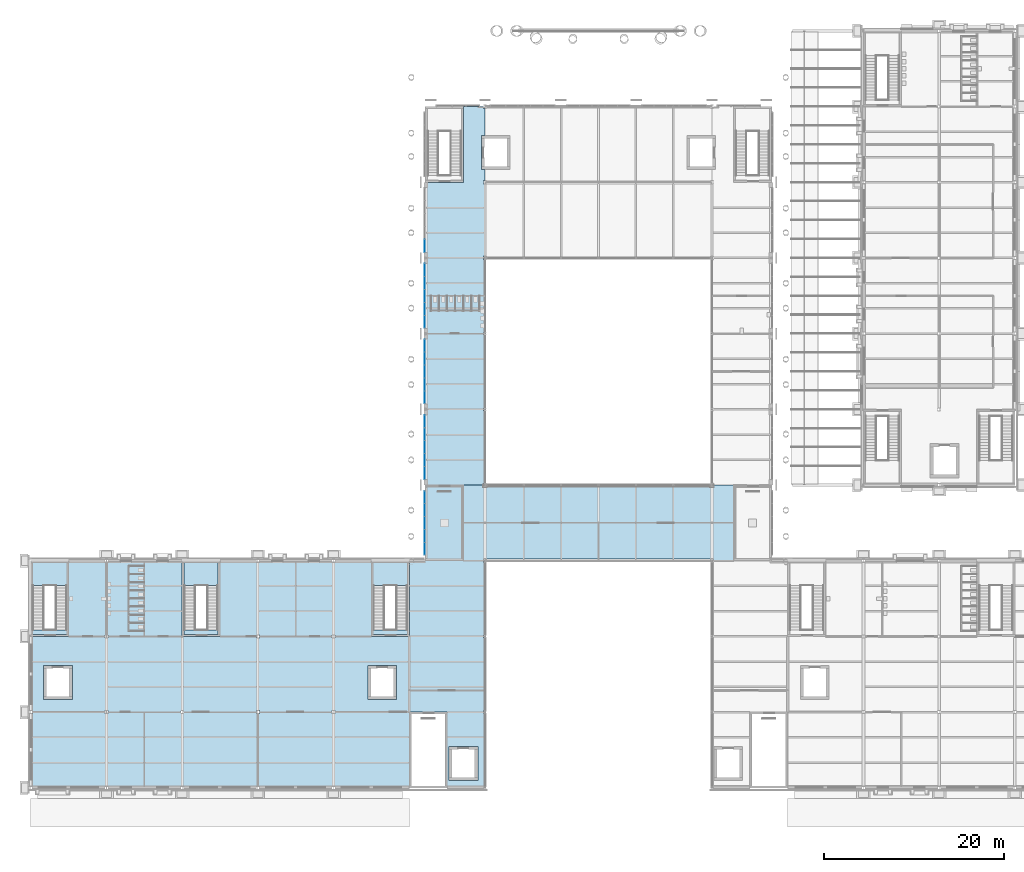
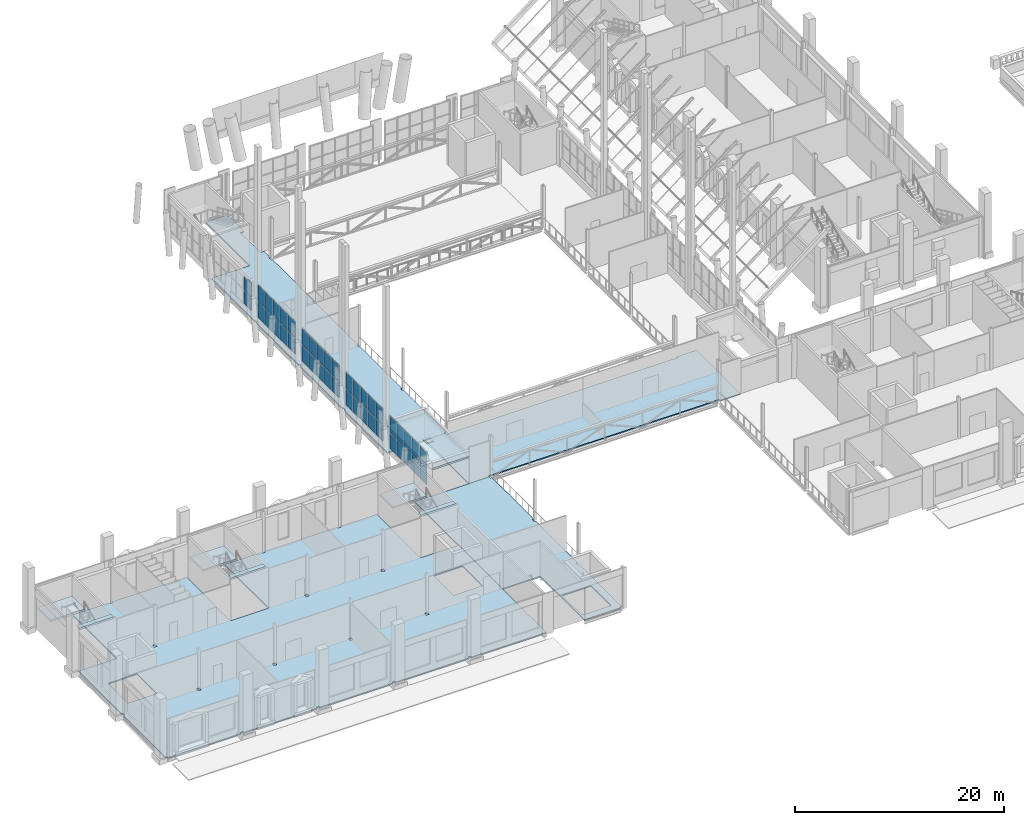
# One storey, part 41 of 76: 42 plates, 11 slabs, 8 elements without a shape of their own.
"""IFC4 building model written with IfcOpenShell, lengths in metres."""

from ifc_helpers import new_model, si_unit, direction, frame, origin, origin_2d, place, context, subcontext, project, spatial, polyline, rectangle, outline, extrude, material, layer, layer_set, type_object, element, aggregate, save


model = new_model("IFC4")

# Units and contexts
model_context = context("Model", 3, precision=1e-05, world=origin(), true_north=direction((0.0, 1.0)))
body_context = subcontext(model_context, "Body", "Model", "MODEL_VIEW")
ifc_project = project(units=[si_unit("LENGTHUNIT", "METRE"), si_unit("AREAUNIT", "SQUARE_METRE"), si_unit("VOLUMEUNIT", "CUBIC_METRE"), si_unit("PLANEANGLEUNIT", "RADIAN"), si_unit("MASSUNIT", "GRAM", prefix="KILO")], contexts=[model_context])

# Site, building, storey
site_placement = place(None, origin())
site = spatial("IfcSite", under=ifc_project, at=site_placement, CompositionType="ELEMENT")
building_placement = place(site_placement, origin())
building = spatial("IfcBuilding", under=site, at=building_placement, Name="Sava Quay Ferry Terminal", CompositionType="ELEMENT")
storey_placement = place(building_placement, frame((0.0, 0.0, 6.0)))
storey = spatial("IfcBuildingStorey", under=building, at=storey_placement, Name="L01", CompositionType="ELEMENT", Elevation=6.0)

# Slabs
ifc_material_1 = material(Name="Concrete C30/37", Category="concrete")
ifc_layer_1 = layer(ifc_material_1, 0.1298828125)
ifc_layer_set_1 = layer_set([ifc_layer_1], Name="Concrete C30/37")
slab_type_1 = type_object("IfcSlabType", Name="Composite floor slab 130", PredefinedType="FLOOR", material=ifc_layer_set_1)
slab_1_placement = place(storey_placement, frame((0.0, 0.0, -0.1298828125)))
element("IfcSlab", 1, at=slab_1_placement, inside=storey, type_object=slab_type_1, Name="A floor slab L01", PredefinedType="FLOOR", context=body_context, shape_type="SweptSolid", body=[
    extrude(outline(polyline([(50.239990234375, 25.360107421875), (50.239990234375, 25.199951171875), (46.199951171875, 25.199951171875), (46.199951171875, 33.60009765625), (42.0, 33.60009765625), (42.0, 42.0), (42.0, 50.39990234375), (43.800048828125, 50.39990234375), (48.0, 50.39990234375), (50.239990234375, 50.39990234375), (50.239990234375, 50.18994140625), (50.39990234375, 50.18994140625), (50.39990234375, 42.159912109375), (50.239990234375, 42.159912109375), (50.239990234375, 41.840087890625), (50.39990234375, 41.840087890625), (50.39990234375, 33.760009765625), (50.239990234375, 33.760009765625), (50.239990234375, 33.43994140625), (50.39990234375, 33.43994140625), (50.39990234375, 25.360107421875), (50.239990234375, 25.360107421875)]), holes=[polyline([(46.39990234375, 26.0), (49.60009765625, 26.0), (49.60009765625, 29.800048828125), (46.39990234375, 29.800048828125), (46.39990234375, 26.0)])]), origin(), (0.0, 0.0, 1.0), 0.1298828125),
])
slab_2_placement = place(storey_placement, frame((0.0, 0.0, -0.1298828125)))
element("IfcSlab", 2, at=slab_2_placement, inside=storey, type_object=slab_type_1, Name="W floor slab L01", PredefinedType="FLOOR", context=body_context, shape_type="SweptSolid", body=[
    extrude(outline(polyline([(33.760009765625, 25.199951171875), (33.760009765625, 25.3701171875), (33.43994140625, 25.3701171875), (33.43994140625, 25.199951171875), (25.360107421875, 25.199951171875), (25.360107421875, 25.3701171875), (25.0400390625, 25.3701171875), (25.0400390625, 25.199951171875), (16.9599609375, 25.199951171875), (16.9599609375, 25.3701171875), (16.639892578125, 25.3701171875), (16.639892578125, 25.199951171875), (8.56005859375, 25.199951171875), (8.56005859375, 25.3701171875), (8.239990234375, 25.3701171875), (8.239990234375, 25.199951171875), (0.159912109375, 25.199951171875), (0.159912109375, 25.3701171875), (0.0, 25.3701171875), (0.0, 33.429931640625), (0.159912109375, 33.429931640625), (0.159912109375, 33.77001953125), (0.0, 33.77001953125), (0.0, 42.0), (4.199951171875, 42.0), (4.199951171875, 50.39990234375), (8.239990234375, 50.39990234375), (8.239990234375, 50.22998046875), (8.56005859375, 50.22998046875), (8.56005859375, 50.39990234375), (16.800048828125, 50.39990234375), (16.800048828125, 42.0), (21.0, 42.0), (21.0, 50.39990234375), (25.0400390625, 50.39990234375), (25.0400390625, 50.22998046875), (25.360107421875, 50.22998046875), (25.360107421875, 50.39990234375), (33.43994140625, 50.39990234375), (33.43994140625, 50.22998046875), (33.760009765625, 50.22998046875), (33.760009765625, 50.39990234375), (37.800048828125, 50.39990234375), (37.800048828125, 42.0), (42.0, 42.0), (42.0, 33.60009765625), (42.0, 25.199951171875), (33.760009765625, 25.199951171875)]), holes=[polyline([(8.239990234375, 33.77001953125), (8.239990234375, 33.429931640625), (8.56005859375, 33.429931640625), (8.56005859375, 33.77001953125), (8.239990234375, 33.77001953125)]), polyline([(16.639892578125, 33.429931640625), (16.9599609375, 33.429931640625), (16.9599609375, 33.77001953125), (16.639892578125, 33.77001953125), (16.639892578125, 33.429931640625)]), polyline([(33.43994140625, 33.429931640625), (33.760009765625, 33.429931640625), (33.760009765625, 33.77001953125), (33.43994140625, 33.77001953125), (33.43994140625, 33.429931640625)]), polyline([(25.0400390625, 33.429931640625), (25.360107421875, 33.429931640625), (25.360107421875, 33.77001953125), (25.0400390625, 33.77001953125), (25.0400390625, 33.429931640625)]), polyline([(37.39990234375, 38.800048828125), (37.39990234375, 35.0), (40.60009765625, 35.0), (40.60009765625, 38.800048828125), (37.39990234375, 38.800048828125)]), polyline([(1.39990234375, 38.800048828125), (1.39990234375, 35.0), (4.60009765625, 35.0), (4.60009765625, 38.800048828125), (1.39990234375, 38.800048828125)]), polyline([(25.0400390625, 41.830078125), (25.360107421875, 41.830078125), (25.360107421875, 42.169921875), (25.0400390625, 42.169921875), (25.0400390625, 41.830078125)]), polyline([(8.239990234375, 41.830078125), (8.56005859375, 41.830078125), (8.56005859375, 42.169921875), (8.239990234375, 42.169921875), (8.239990234375, 41.830078125)]), polyline([(33.43994140625, 41.830078125), (33.760009765625, 41.830078125), (33.760009765625, 42.169921875), (33.43994140625, 42.169921875), (33.43994140625, 41.830078125)])]), origin(), (0.0, 0.0, 1.0), 0.1298828125),
])
slab_3_placement = place(storey_placement, frame((0.0, 0.0, -0.1298828125)))
element("IfcSlab", 3, at=slab_3_placement, inside=storey, type_object=slab_type_1, Name="D floor slab L01", PredefinedType="FLOOR", context=body_context, shape_type="SweptSolid", body=[
    extrude(outline(polyline([(78.0, 50.39990234375), (75.760009765625, 50.39990234375), (75.760009765625, 50.610107421875), (75.43994140625, 50.610107421875), (75.43994140625, 50.570068359375), (50.56005859375, 50.570068359375), (50.56005859375, 50.610107421875), (50.239990234375, 50.610107421875), (50.239990234375, 50.39990234375), (48.0, 50.39990234375), (48.0, 58.800048828125), (50.239990234375, 58.800048828125), (50.239990234375, 58.590087890625), (50.56005859375, 58.590087890625), (50.56005859375, 58.6298828125), (75.43994140625, 58.6298828125), (75.43994140625, 58.590087890625), (75.760009765625, 58.590087890625), (75.760009765625, 58.800048828125), (78.0, 58.800048828125), (78.0, 50.39990234375)])), origin(), (0.0, 0.0, 1.0), 0.1298828125),
])
slab_4_placement = place(storey_placement, frame((0.0, 0.0, -0.1298828125)))
element("IfcSlab", 4, at=slab_4_placement, inside=storey, type_object=slab_type_1, Name="D floor slab L01", PredefinedType="FLOOR", context=body_context, shape_type="SweptSolid", body=[
    extrude(outline(polyline([(50.239990234375, 59.010009765625), (50.239990234375, 58.800048828125), (48.0, 58.800048828125), (43.800048828125, 58.800048828125), (43.800048828125, 67.070068359375), (43.929931640625, 67.070068359375), (43.929931640625, 67.330078125), (43.800048828125, 67.330078125), (43.800048828125, 75.469970703125), (43.929931640625, 75.469970703125), (43.929931640625, 75.72998046875), (43.800048828125, 75.72998046875), (43.800048828125, 83.8701171875), (43.929931640625, 83.8701171875), (43.929931640625, 84.1298828125), (43.800048828125, 84.1298828125), (43.800048828125, 92.39990234375), (48.0, 92.39990234375), (48.0, 100.800048828125), (50.239990234375, 100.800048828125), (50.239990234375, 100.590087890625), (50.39990234375, 100.590087890625), (50.39990234375, 97.60009765625), (50.0, 97.60009765625), (50.0, 93.800048828125), (50.39990234375, 93.800048828125), (50.39990234375, 92.610107421875), (50.239990234375, 92.610107421875), (50.239990234375, 92.18994140625), (50.39990234375, 92.18994140625), (50.39990234375, 84.2099609375), (50.239990234375, 84.2099609375), (50.239990234375, 83.7900390625), (50.39990234375, 83.7900390625), (50.39990234375, 75.7548828125), (50.239990234375, 75.7548828125), (50.239990234375, 75.445068359375), (50.39990234375, 75.445068359375), (50.39990234375, 67.35498046875), (50.239990234375, 67.35498046875), (50.239990234375, 67.044921875), (50.39990234375, 67.044921875), (50.39990234375, 59.010009765625), (50.239990234375, 59.010009765625)])), origin(), (0.0, 0.0, 1.0), 0.1298828125),
])

# Curtain wall, plates
ifc_material_2 = material(Name="Aluminium and glass curtain wall, double low-e glazed", Category="aluminium")
curtain_wall_type = type_object("IfcCurtainWallType", Name="Curtain wall CW-F flank", PredefinedType="NOTDEFINED", material=ifc_material_2)
curtain_wall_1_placement = place(storey_placement, origin())
curtain_wall_1 = element("IfcCurtainWall", 5, at=curtain_wall_1_placement, inside=storey, type_object=curtain_wall_type, Name="Curtain wall D-W L01 bay 1", PredefinedType="NOTDEFINED")
ifc_material_3 = material(Name="Laminated glass, double low-e glazed unit", Category="glass")
ifc_layer_2 = layer(ifc_material_3, 0.028076171875)
ifc_layer_set_2 = layer_set([ifc_layer_2], Name="Laminated glass, double low-e glazed unit")
plate_type = type_object("IfcPlateType", Name="Glass panel 28 double low-e", PredefinedType="CURTAIN_PANEL", material=ifc_layer_set_2)
plate_1_placement = place(storey_placement, frame((43.72509765625, 51.735107421875, 0.949951171875), z_axis=(0.0, 0.0, 1.0), x_axis=(0.0, 1.0, 0.0)))
plate_1 = element("IfcPlate", 6, at=plate_1_placement, type_object=plate_type, Name="CW96 panel 1.1", PredefinedType="CURTAIN_PANEL", context=body_context, shape_type="SweptSolid", body=[
    extrude(rectangle(XDim=1.35009765625, YDim=0.028076171875, at=origin_2d()), origin(), (0.0, 0.0, 1.0), 1.875),
])
plate_2_placement = place(storey_placement, frame((43.72509765625, 51.735107421875, 2.875), z_axis=(0.0, 0.0, 1.0), x_axis=(0.0, 1.0, 0.0)))
plate_2 = element("IfcPlate", 7, at=plate_2_placement, type_object=plate_type, Name="CW96 panel 1.2", PredefinedType="CURTAIN_PANEL", context=body_context, shape_type="SweptSolid", body=[
    extrude(rectangle(XDim=1.35009765625, YDim=0.028076171875, at=origin_2d()), origin(), (0.0, 0.0, 1.0), 1.875),
])
plate_3_placement = place(storey_placement, frame((43.72509765625, 53.159912109375, 0.949951171875), z_axis=(0.0, 0.0, 1.0), x_axis=(0.0, 1.0, 0.0)))
plate_3 = element("IfcPlate", 8, at=plate_3_placement, type_object=plate_type, Name="CW96 panel 2.1", PredefinedType="CURTAIN_PANEL", context=body_context, shape_type="SweptSolid", body=[
    extrude(rectangle(XDim=1.3798828125, YDim=0.028076171875, at=origin_2d()), origin(), (0.0, 0.0, 1.0), 1.875),
])
plate_4_placement = place(storey_placement, frame((43.72509765625, 53.159912109375, 2.875), z_axis=(0.0, 0.0, 1.0), x_axis=(0.0, 1.0, 0.0)))
plate_4 = element("IfcPlate", 9, at=plate_4_placement, type_object=plate_type, Name="CW96 panel 2.2", PredefinedType="CURTAIN_PANEL", context=body_context, shape_type="SweptSolid", body=[
    extrude(rectangle(XDim=1.3798828125, YDim=0.028076171875, at=origin_2d()), origin(), (0.0, 0.0, 1.0), 1.875),
])
plate_5_placement = place(storey_placement, frame((43.72509765625, 54.60009765625, 0.949951171875), z_axis=(0.0, 0.0, 1.0), x_axis=(0.0, 1.0, 0.0)))
plate_5 = element("IfcPlate", 10, at=plate_5_placement, type_object=plate_type, Name="CW96 panel 3.1", PredefinedType="CURTAIN_PANEL", context=body_context, shape_type="SweptSolid", body=[
    extrude(rectangle(XDim=1.3798828125, YDim=0.028076171875, at=origin_2d()), origin(), (0.0, 0.0, 1.0), 1.875),
])
plate_6_placement = place(storey_placement, frame((43.72509765625, 54.60009765625, 2.875), z_axis=(0.0, 0.0, 1.0), x_axis=(0.0, 1.0, 0.0)))
plate_6 = element("IfcPlate", 11, at=plate_6_placement, type_object=plate_type, Name="CW96 panel 3.2", PredefinedType="CURTAIN_PANEL", context=body_context, shape_type="SweptSolid", body=[
    extrude(rectangle(XDim=1.3798828125, YDim=0.028076171875, at=origin_2d()), origin(), (0.0, 0.0, 1.0), 1.875),
])
plate_7_placement = place(storey_placement, frame((43.72509765625, 56.0400390625, 0.949951171875), z_axis=(0.0, 0.0, 1.0), x_axis=(0.0, 1.0, 0.0)))
plate_7 = element("IfcPlate", 12, at=plate_7_placement, type_object=plate_type, Name="CW96 panel 4.1", PredefinedType="CURTAIN_PANEL", context=body_context, shape_type="SweptSolid", body=[
    extrude(rectangle(XDim=1.3798828125, YDim=0.028076171875, at=origin_2d()), origin(), (0.0, 0.0, 1.0), 1.875),
])
plate_8_placement = place(storey_placement, frame((43.72509765625, 56.0400390625, 2.875), z_axis=(0.0, 0.0, 1.0), x_axis=(0.0, 1.0, 0.0)))
plate_8 = element("IfcPlate", 13, at=plate_8_placement, type_object=plate_type, Name="CW96 panel 4.2", PredefinedType="CURTAIN_PANEL", context=body_context, shape_type="SweptSolid", body=[
    extrude(rectangle(XDim=1.3798828125, YDim=0.028076171875, at=origin_2d()), origin(), (0.0, 0.0, 1.0), 1.875),
])
plate_9_placement = place(storey_placement, frame((43.72509765625, 57.465087890625, 0.949951171875), z_axis=(0.0, 0.0, 1.0), x_axis=(0.0, 1.0, 0.0)))
plate_9 = element("IfcPlate", 14, at=plate_9_placement, type_object=plate_type, Name="CW96 panel 5.1", PredefinedType="CURTAIN_PANEL", context=body_context, shape_type="SweptSolid", body=[
    extrude(rectangle(XDim=1.35009765625, YDim=0.028076171875, at=origin_2d()), origin(), (0.0, 0.0, 1.0), 1.875),
])
plate_10_placement = place(storey_placement, frame((43.72509765625, 57.465087890625, 2.875), z_axis=(0.0, 0.0, 1.0), x_axis=(0.0, 1.0, 0.0)))
plate_10 = element("IfcPlate", 15, at=plate_10_placement, type_object=plate_type, Name="CW96 panel 5.2", PredefinedType="CURTAIN_PANEL", context=body_context, shape_type="SweptSolid", body=[
    extrude(rectangle(XDim=1.35009765625, YDim=0.028076171875, at=origin_2d()), origin(), (0.0, 0.0, 1.0), 1.875),
])
aggregate(curtain_wall_1, [plate_1, plate_2, plate_3, plate_4, plate_5, plate_6, plate_7, plate_8, plate_9, plate_10])

curtain_wall_2_placement = place(storey_placement, origin())
curtain_wall_2 = element("IfcCurtainWall", 16, at=curtain_wall_2_placement, inside=storey, type_object=curtain_wall_type, Name="Curtain wall D-W L01 bay 2", PredefinedType="NOTDEFINED")
plate_11_placement = place(storey_placement, frame((43.72509765625, 60.135009765625, 0.949951171875), z_axis=(0.0, 0.0, 1.0), x_axis=(0.0, 1.0, 0.0)))
plate_11 = element("IfcPlate", 17, at=plate_11_placement, type_object=plate_type, Name="CW100 panel 1.1", PredefinedType="CURTAIN_PANEL", context=body_context, shape_type="SweptSolid", body=[
    extrude(rectangle(XDim=1.35009765625, YDim=0.028076171875, at=origin_2d()), origin(), (0.0, 0.0, 1.0), 1.875),
])
plate_12_placement = place(storey_placement, frame((43.72509765625, 60.135009765625, 2.875), z_axis=(0.0, 0.0, 1.0), x_axis=(0.0, 1.0, 0.0)))
plate_12 = element("IfcPlate", 18, at=plate_12_placement, type_object=plate_type, Name="CW100 panel 1.2", PredefinedType="CURTAIN_PANEL", context=body_context, shape_type="SweptSolid", body=[
    extrude(rectangle(XDim=1.35009765625, YDim=0.028076171875, at=origin_2d()), origin(), (0.0, 0.0, 1.0), 1.875),
])
plate_13_placement = place(storey_placement, frame((43.72509765625, 61.56005859375, 0.949951171875), z_axis=(0.0, 0.0, 1.0), x_axis=(0.0, 1.0, 0.0)))
plate_13 = element("IfcPlate", 19, at=plate_13_placement, type_object=plate_type, Name="CW100 panel 2.1", PredefinedType="CURTAIN_PANEL", context=body_context, shape_type="SweptSolid", body=[
    extrude(rectangle(XDim=1.3798828125, YDim=0.028076171875, at=origin_2d()), origin(), (0.0, 0.0, 1.0), 1.875),
])
plate_14_placement = place(storey_placement, frame((43.72509765625, 61.56005859375, 2.875), z_axis=(0.0, 0.0, 1.0), x_axis=(0.0, 1.0, 0.0)))
plate_14 = element("IfcPlate", 20, at=plate_14_placement, type_object=plate_type, Name="CW100 panel 2.2", PredefinedType="CURTAIN_PANEL", context=body_context, shape_type="SweptSolid", body=[
    extrude(rectangle(XDim=1.3798828125, YDim=0.028076171875, at=origin_2d()), origin(), (0.0, 0.0, 1.0), 1.875),
])
plate_15_placement = place(storey_placement, frame((43.72509765625, 63.0, 0.949951171875), z_axis=(0.0, 0.0, 1.0), x_axis=(0.0, 1.0, 0.0)))
plate_15 = element("IfcPlate", 21, at=plate_15_placement, type_object=plate_type, Name="CW100 panel 3.1", PredefinedType="CURTAIN_PANEL", context=body_context, shape_type="SweptSolid", body=[
    extrude(rectangle(XDim=1.3798828125, YDim=0.028076171875, at=origin_2d()), origin(), (0.0, 0.0, 1.0), 1.875),
])
plate_16_placement = place(storey_placement, frame((43.72509765625, 63.0, 2.875), z_axis=(0.0, 0.0, 1.0), x_axis=(0.0, 1.0, 0.0)))
plate_16 = element("IfcPlate", 22, at=plate_16_placement, type_object=plate_type, Name="CW100 panel 3.2", PredefinedType="CURTAIN_PANEL", context=body_context, shape_type="SweptSolid", body=[
    extrude(rectangle(XDim=1.3798828125, YDim=0.028076171875, at=origin_2d()), origin(), (0.0, 0.0, 1.0), 1.875),
])
plate_17_placement = place(storey_placement, frame((43.72509765625, 64.43994140625, 0.949951171875), z_axis=(0.0, 0.0, 1.0), x_axis=(0.0, 1.0, 0.0)))
plate_17 = element("IfcPlate", 23, at=plate_17_placement, type_object=plate_type, Name="CW100 panel 4.1", PredefinedType="CURTAIN_PANEL", context=body_context, shape_type="SweptSolid", body=[
    extrude(rectangle(XDim=1.3798828125, YDim=0.028076171875, at=origin_2d()), origin(), (0.0, 0.0, 1.0), 1.875),
])
plate_18_placement = place(storey_placement, frame((43.72509765625, 64.43994140625, 2.875), z_axis=(0.0, 0.0, 1.0), x_axis=(0.0, 1.0, 0.0)))
plate_18 = element("IfcPlate", 24, at=plate_18_placement, type_object=plate_type, Name="CW100 panel 4.2", PredefinedType="CURTAIN_PANEL", context=body_context, shape_type="SweptSolid", body=[
    extrude(rectangle(XDim=1.3798828125, YDim=0.028076171875, at=origin_2d()), origin(), (0.0, 0.0, 1.0), 1.875),
])
plate_19_placement = place(storey_placement, frame((43.72509765625, 65.864990234375, 0.949951171875), z_axis=(0.0, 0.0, 1.0), x_axis=(0.0, 1.0, 0.0)))
plate_19 = element("IfcPlate", 25, at=plate_19_placement, type_object=plate_type, Name="CW100 panel 5.1", PredefinedType="CURTAIN_PANEL", context=body_context, shape_type="SweptSolid", body=[
    extrude(rectangle(XDim=1.35009765625, YDim=0.028076171875, at=origin_2d()), origin(), (0.0, 0.0, 1.0), 1.875),
])
plate_20_placement = place(storey_placement, frame((43.72509765625, 65.864990234375, 2.875), z_axis=(0.0, 0.0, 1.0), x_axis=(0.0, 1.0, 0.0)))
plate_20 = element("IfcPlate", 26, at=plate_20_placement, type_object=plate_type, Name="CW100 panel 5.2", PredefinedType="CURTAIN_PANEL", context=body_context, shape_type="SweptSolid", body=[
    extrude(rectangle(XDim=1.35009765625, YDim=0.028076171875, at=origin_2d()), origin(), (0.0, 0.0, 1.0), 1.875),
])
aggregate(curtain_wall_2, [plate_11, plate_12, plate_13, plate_14, plate_15, plate_16, plate_17, plate_18, plate_19, plate_20])

curtain_wall_3_placement = place(storey_placement, origin())
curtain_wall_3 = element("IfcCurtainWall", 27, at=curtain_wall_3_placement, inside=storey, type_object=curtain_wall_type, Name="Curtain wall D-W L01 bay 3", PredefinedType="NOTDEFINED")
plate_21_placement = place(storey_placement, frame((43.72509765625, 68.534912109375, 0.949951171875), z_axis=(0.0, 0.0, 1.0), x_axis=(0.0, 1.0, 0.0)))
plate_21 = element("IfcPlate", 28, at=plate_21_placement, type_object=plate_type, Name="CW104 panel 1.1", PredefinedType="CURTAIN_PANEL", context=body_context, shape_type="SweptSolid", body=[
    extrude(rectangle(XDim=1.35009765625, YDim=0.028076171875, at=origin_2d()), origin(), (0.0, 0.0, 1.0), 1.875),
])
plate_22_placement = place(storey_placement, frame((43.72509765625, 68.534912109375, 2.875), z_axis=(0.0, 0.0, 1.0), x_axis=(0.0, 1.0, 0.0)))
plate_22 = element("IfcPlate", 29, at=plate_22_placement, type_object=plate_type, Name="CW104 panel 1.2", PredefinedType="CURTAIN_PANEL", context=body_context, shape_type="SweptSolid", body=[
    extrude(rectangle(XDim=1.35009765625, YDim=0.028076171875, at=origin_2d()), origin(), (0.0, 0.0, 1.0), 1.875),
])
plate_23_placement = place(storey_placement, frame((43.72509765625, 69.9599609375, 0.949951171875), z_axis=(0.0, 0.0, 1.0), x_axis=(0.0, 1.0, 0.0)))
plate_23 = element("IfcPlate", 30, at=plate_23_placement, type_object=plate_type, Name="CW104 panel 2.1", PredefinedType="CURTAIN_PANEL", context=body_context, shape_type="SweptSolid", body=[
    extrude(rectangle(XDim=1.3798828125, YDim=0.028076171875, at=origin_2d()), origin(), (0.0, 0.0, 1.0), 1.875),
])
plate_24_placement = place(storey_placement, frame((43.72509765625, 69.9599609375, 2.875), z_axis=(0.0, 0.0, 1.0), x_axis=(0.0, 1.0, 0.0)))
plate_24 = element("IfcPlate", 31, at=plate_24_placement, type_object=plate_type, Name="CW104 panel 2.2", PredefinedType="CURTAIN_PANEL", context=body_context, shape_type="SweptSolid", body=[
    extrude(rectangle(XDim=1.3798828125, YDim=0.028076171875, at=origin_2d()), origin(), (0.0, 0.0, 1.0), 1.875),
])
plate_25_placement = place(storey_placement, frame((43.72509765625, 71.39990234375, 0.949951171875), z_axis=(0.0, 0.0, 1.0), x_axis=(0.0, 1.0, 0.0)))
plate_25 = element("IfcPlate", 32, at=plate_25_placement, type_object=plate_type, Name="CW104 panel 3.1", PredefinedType="CURTAIN_PANEL", context=body_context, shape_type="SweptSolid", body=[
    extrude(rectangle(XDim=1.3798828125, YDim=0.028076171875, at=origin_2d()), origin(), (0.0, 0.0, 1.0), 1.875),
])
plate_26_placement = place(storey_placement, frame((43.72509765625, 71.39990234375, 2.875), z_axis=(0.0, 0.0, 1.0), x_axis=(0.0, 1.0, 0.0)))
plate_26 = element("IfcPlate", 33, at=plate_26_placement, type_object=plate_type, Name="CW104 panel 3.2", PredefinedType="CURTAIN_PANEL", context=body_context, shape_type="SweptSolid", body=[
    extrude(rectangle(XDim=1.3798828125, YDim=0.028076171875, at=origin_2d()), origin(), (0.0, 0.0, 1.0), 1.875),
])
plate_27_placement = place(storey_placement, frame((43.72509765625, 72.840087890625, 0.949951171875), z_axis=(0.0, 0.0, 1.0), x_axis=(0.0, 1.0, 0.0)))
plate_27 = element("IfcPlate", 34, at=plate_27_placement, type_object=plate_type, Name="CW104 panel 4.1", PredefinedType="CURTAIN_PANEL", context=body_context, shape_type="SweptSolid", body=[
    extrude(rectangle(XDim=1.3798828125, YDim=0.028076171875, at=origin_2d()), origin(), (0.0, 0.0, 1.0), 1.875),
])
plate_28_placement = place(storey_placement, frame((43.72509765625, 72.840087890625, 2.875), z_axis=(0.0, 0.0, 1.0), x_axis=(0.0, 1.0, 0.0)))
plate_28 = element("IfcPlate", 35, at=plate_28_placement, type_object=plate_type, Name="CW104 panel 4.2", PredefinedType="CURTAIN_PANEL", context=body_context, shape_type="SweptSolid", body=[
    extrude(rectangle(XDim=1.3798828125, YDim=0.028076171875, at=origin_2d()), origin(), (0.0, 0.0, 1.0), 1.875),
])
plate_29_placement = place(storey_placement, frame((43.72509765625, 74.264892578125, 0.949951171875), z_axis=(0.0, 0.0, 1.0), x_axis=(0.0, 1.0, 0.0)))
plate_29 = element("IfcPlate", 36, at=plate_29_placement, type_object=plate_type, Name="CW104 panel 5.1", PredefinedType="CURTAIN_PANEL", context=body_context, shape_type="SweptSolid", body=[
    extrude(rectangle(XDim=1.35009765625, YDim=0.028076171875, at=origin_2d()), origin(), (0.0, 0.0, 1.0), 1.875),
])
plate_30_placement = place(storey_placement, frame((43.72509765625, 74.264892578125, 2.875), z_axis=(0.0, 0.0, 1.0), x_axis=(0.0, 1.0, 0.0)))
plate_30 = element("IfcPlate", 37, at=plate_30_placement, type_object=plate_type, Name="CW104 panel 5.2", PredefinedType="CURTAIN_PANEL", context=body_context, shape_type="SweptSolid", body=[
    extrude(rectangle(XDim=1.35009765625, YDim=0.028076171875, at=origin_2d()), origin(), (0.0, 0.0, 1.0), 1.875),
])
aggregate(curtain_wall_3, [plate_21, plate_22, plate_23, plate_24, plate_25, plate_26, plate_27, plate_28, plate_29, plate_30])

curtain_wall_4_placement = place(storey_placement, origin())
curtain_wall_4 = element("IfcCurtainWall", 38, at=curtain_wall_4_placement, inside=storey, type_object=curtain_wall_type, Name="Curtain wall D-W L01 bay 4", PredefinedType="NOTDEFINED")
plate_31_placement = place(storey_placement, frame((43.72509765625, 76.93505859375, 0.949951171875), z_axis=(0.0, 0.0, 1.0), x_axis=(0.0, 1.0, 0.0)))
plate_31 = element("IfcPlate", 39, at=plate_31_placement, type_object=plate_type, Name="CW107 panel 1.1", PredefinedType="CURTAIN_PANEL", context=body_context, shape_type="SweptSolid", body=[
    extrude(rectangle(XDim=1.35009765625, YDim=0.028076171875, at=origin_2d()), origin(), (0.0, 0.0, 1.0), 1.875),
])
plate_32_placement = place(storey_placement, frame((43.72509765625, 76.93505859375, 2.875), z_axis=(0.0, 0.0, 1.0), x_axis=(0.0, 1.0, 0.0)))
plate_32 = element("IfcPlate", 40, at=plate_32_placement, type_object=plate_type, Name="CW107 panel 1.2", PredefinedType="CURTAIN_PANEL", context=body_context, shape_type="SweptSolid", body=[
    extrude(rectangle(XDim=1.35009765625, YDim=0.028076171875, at=origin_2d()), origin(), (0.0, 0.0, 1.0), 1.875),
])
plate_33_placement = place(storey_placement, frame((43.72509765625, 78.360107421875, 0.949951171875), z_axis=(0.0, 0.0, 1.0), x_axis=(0.0, 1.0, 0.0)))
plate_33 = element("IfcPlate", 41, at=plate_33_placement, type_object=plate_type, Name="CW107 panel 2.1", PredefinedType="CURTAIN_PANEL", context=body_context, shape_type="SweptSolid", body=[
    extrude(rectangle(XDim=1.3798828125, YDim=0.028076171875, at=origin_2d()), origin(), (0.0, 0.0, 1.0), 1.875),
])
plate_34_placement = place(storey_placement, frame((43.72509765625, 78.360107421875, 2.875), z_axis=(0.0, 0.0, 1.0), x_axis=(0.0, 1.0, 0.0)))
plate_34 = element("IfcPlate", 42, at=plate_34_placement, type_object=plate_type, Name="CW107 panel 2.2", PredefinedType="CURTAIN_PANEL", context=body_context, shape_type="SweptSolid", body=[
    extrude(rectangle(XDim=1.3798828125, YDim=0.028076171875, at=origin_2d()), origin(), (0.0, 0.0, 1.0), 1.875),
])
plate_35_placement = place(storey_placement, frame((43.72509765625, 79.800048828125, 0.949951171875), z_axis=(0.0, 0.0, 1.0), x_axis=(0.0, 1.0, 0.0)))
plate_35 = element("IfcPlate", 43, at=plate_35_placement, type_object=plate_type, Name="CW107 panel 3.1", PredefinedType="CURTAIN_PANEL", context=body_context, shape_type="SweptSolid", body=[
    extrude(rectangle(XDim=1.3798828125, YDim=0.028076171875, at=origin_2d()), origin(), (0.0, 0.0, 1.0), 1.875),
])
plate_36_placement = place(storey_placement, frame((43.72509765625, 79.800048828125, 2.875), z_axis=(0.0, 0.0, 1.0), x_axis=(0.0, 1.0, 0.0)))
plate_36 = element("IfcPlate", 44, at=plate_36_placement, type_object=plate_type, Name="CW107 panel 3.2", PredefinedType="CURTAIN_PANEL", context=body_context, shape_type="SweptSolid", body=[
    extrude(rectangle(XDim=1.3798828125, YDim=0.028076171875, at=origin_2d()), origin(), (0.0, 0.0, 1.0), 1.875),
])
plate_37_placement = place(storey_placement, frame((43.72509765625, 81.239990234375, 0.949951171875), z_axis=(0.0, 0.0, 1.0), x_axis=(0.0, 1.0, 0.0)))
plate_37 = element("IfcPlate", 45, at=plate_37_placement, type_object=plate_type, Name="CW107 panel 4.1", PredefinedType="CURTAIN_PANEL", context=body_context, shape_type="SweptSolid", body=[
    extrude(rectangle(XDim=1.3798828125, YDim=0.028076171875, at=origin_2d()), origin(), (0.0, 0.0, 1.0), 1.875),
])
plate_38_placement = place(storey_placement, frame((43.72509765625, 81.239990234375, 2.875), z_axis=(0.0, 0.0, 1.0), x_axis=(0.0, 1.0, 0.0)))
plate_38 = element("IfcPlate", 46, at=plate_38_placement, type_object=plate_type, Name="CW107 panel 4.2", PredefinedType="CURTAIN_PANEL", context=body_context, shape_type="SweptSolid", body=[
    extrude(rectangle(XDim=1.3798828125, YDim=0.028076171875, at=origin_2d()), origin(), (0.0, 0.0, 1.0), 1.875),
])
plate_39_placement = place(storey_placement, frame((43.72509765625, 82.6650390625, 0.949951171875), z_axis=(0.0, 0.0, 1.0), x_axis=(0.0, 1.0, 0.0)))
plate_39 = element("IfcPlate", 47, at=plate_39_placement, type_object=plate_type, Name="CW107 panel 5.1", PredefinedType="CURTAIN_PANEL", context=body_context, shape_type="SweptSolid", body=[
    extrude(rectangle(XDim=1.35009765625, YDim=0.028076171875, at=origin_2d()), origin(), (0.0, 0.0, 1.0), 1.875),
])
plate_40_placement = place(storey_placement, frame((43.72509765625, 82.6650390625, 2.875), z_axis=(0.0, 0.0, 1.0), x_axis=(0.0, 1.0, 0.0)))
plate_40 = element("IfcPlate", 48, at=plate_40_placement, type_object=plate_type, Name="CW107 panel 5.2", PredefinedType="CURTAIN_PANEL", context=body_context, shape_type="SweptSolid", body=[
    extrude(rectangle(XDim=1.35009765625, YDim=0.028076171875, at=origin_2d()), origin(), (0.0, 0.0, 1.0), 1.875),
])
aggregate(curtain_wall_4, [plate_31, plate_32, plate_33, plate_34, plate_35, plate_36, plate_37, plate_38, plate_39, plate_40])

curtain_wall_5_placement = place(storey_placement, origin())
curtain_wall_5 = element("IfcCurtainWall", 49, at=curtain_wall_5_placement, inside=storey, type_object=curtain_wall_type, Name="Curtain wall D-W L01 bay 5", PredefinedType="NOTDEFINED")
plate_41_placement = place(storey_placement, frame((43.72509765625, 85.3349609375, 0.9501953125), z_axis=(0.0, 0.0, 1.0), x_axis=(0.0, 1.0, 0.0)))
plate_41 = element("IfcPlate", 50, at=plate_41_placement, type_object=plate_type, Name="CW111 panel 1.1", PredefinedType="CURTAIN_PANEL", context=body_context, shape_type="SweptSolid", body=[
    extrude(rectangle(XDim=1.35009765625, YDim=0.028076171875, at=origin_2d()), origin(), (0.0, 0.0, 1.0), 1.574951171875),
])
plate_42_placement = place(storey_placement, frame((43.72509765625, 85.3349609375, 2.5751953125), z_axis=(0.0, 0.0, 1.0), x_axis=(0.0, 1.0, 0.0)))
plate_42 = element("IfcPlate", 51, at=plate_42_placement, type_object=plate_type, Name="CW111 panel 1.2", PredefinedType="CURTAIN_PANEL", context=body_context, shape_type="SweptSolid", body=[
    extrude(rectangle(XDim=1.35009765625, YDim=0.028076171875, at=origin_2d()), origin(), (0.0, 0.0, 1.0), 1.574951171875),
])
aggregate(curtain_wall_5, [plate_41, plate_42])

# Slab
ifc_material_4 = material(Name="Concrete C35/45", Category="concrete")
ifc_layer_3 = layer(ifc_material_4, 0.199951171875)
ifc_layer_set_3 = layer_set([ifc_layer_3], Name="Concrete C35/45")
slab_type_2 = type_object("IfcSlabType", Name="RC core roof slab 200", PredefinedType="ROOF", material=ifc_layer_set_3)
slab_5_placement = place(storey_placement, frame((0.0, 0.0, 3.0)))
element("IfcSlab", 52, at=slab_5_placement, inside=storey, type_object=slab_type_2, Name="Core roof slab ST-D1", PredefinedType="ROOF", context=body_context, shape_type="SweptSolid", body=[
    extrude(outline(polyline([(43.800048828125, 50.39990234375), (48.0, 50.39990234375), (48.0, 58.800048828125), (43.800048828125, 58.800048828125), (43.800048828125, 50.39990234375)]), holes=[polyline([(45.550048828125, 54.25), (46.25, 54.25), (46.25, 54.949951171875), (45.550048828125, 54.949951171875), (45.550048828125, 54.25)])]), origin(), (0.0, 0.0, 1.0), 0.199951171875),
])

# Stair, slab
ifc_material_5 = material(Name="Concrete C30/37", Category="concrete")
stair_type = type_object("IfcStairType", Name="Stair 1200 half landing", PredefinedType="HALF_TURN_STAIR", material=ifc_material_5)
stair_1_placement = place(storey_placement, origin())
stair_1 = element("IfcStair", 53, at=stair_1_placement, inside=storey, type_object=stair_type, Name="Stair ST-W1 L01", PredefinedType="HALF_TURN_STAIR")
ifc_material_6 = material(Name="Concrete C30/37", Category="concrete")
ifc_layer_4 = layer(ifc_material_6, 0.199951171875)
ifc_layer_set_4 = layer_set([ifc_layer_4], Name="Concrete C30/37")
slab_type_3 = type_object("IfcSlabType", Name="Stair head floor 200", PredefinedType="FLOOR", material=ifc_layer_set_4)
slab_6_placement = place(storey_placement, frame((0.0, 0.0, 4.60009765625)))
slab_6 = element("IfcSlab", 54, at=slab_6_placement, type_object=slab_type_3, Name="ST-W1 head floor L02", PredefinedType="FLOOR", context=body_context, shape_type="SweptSolid", body=[
    extrude(outline(polyline([(0.199951171875, 42.199951171875), (0.199951171875, 42.72998046875), (4.0, 42.72998046875), (4.0, 42.199951171875), (0.199951171875, 42.199951171875)])), origin(), (0.0, 0.0, 1.0), 0.199951171875),
])

stair_2_placement = place(storey_placement, origin())
stair_2 = element("IfcStair", 55, at=stair_2_placement, inside=storey, type_object=stair_type, Name="Stair ST-W3 L01", PredefinedType="HALF_TURN_STAIR")
slab_7_placement = place(storey_placement, frame((0.0, 0.0, 4.60009765625)))
slab_7 = element("IfcSlab", 56, at=slab_7_placement, type_object=slab_type_3, Name="ST-W3 head floor L02", PredefinedType="FLOOR", context=body_context, shape_type="SweptSolid", body=[
    extrude(outline(polyline([(17.0, 42.199951171875), (17.0, 42.72998046875), (20.800048828125, 42.72998046875), (20.800048828125, 42.199951171875), (17.0, 42.199951171875)])), origin(), (0.0, 0.0, 1.0), 0.199951171875),
])

stair_3_placement = place(storey_placement, origin())
stair_3 = element("IfcStair", 57, at=stair_3_placement, inside=storey, type_object=stair_type, Name="Stair ST-W2 L01", PredefinedType="HALF_TURN_STAIR")
slab_8_placement = place(storey_placement, frame((0.0, 0.0, 4.60009765625)))
slab_8 = element("IfcSlab", 58, at=slab_8_placement, type_object=slab_type_3, Name="ST-W2 head floor L02", PredefinedType="FLOOR", context=body_context, shape_type="SweptSolid", body=[
    extrude(outline(polyline([(38.0, 42.199951171875), (38.0, 42.72998046875), (41.800048828125, 42.72998046875), (41.800048828125, 42.199951171875), (38.0, 42.199951171875)])), origin(), (0.0, 0.0, 1.0), 0.199951171875),
])

# Slab
ifc_material_7 = material(Name="Concrete C30/37", Category="concrete")
ifc_layer_5 = layer(ifc_material_7, 0.199951171875)
ifc_layer_set_5 = layer_set([ifc_layer_5], Name="Concrete C30/37")
slab_type_4 = type_object("IfcSlabType", Name="Stair landing 200", PredefinedType="LANDING", material=ifc_layer_set_5)
slab_9_placement = place(storey_placement, frame((0.0, 0.0, 2.199951171875)))
slab_9 = element("IfcSlab", 59, at=slab_9_placement, type_object=slab_type_4, Name="ST-W1 landing 1", PredefinedType="LANDING", context=body_context, shape_type="SweptSolid", body=[
    extrude(outline(polyline([(0.199951171875, 47.679931640625), (0.199951171875, 50.199951171875), (4.0, 50.199951171875), (4.0, 47.679931640625), (0.199951171875, 47.679931640625)])), origin(), (0.0, 0.0, 1.0), 0.199951171875),
])

aggregate(stair_1, [slab_9, slab_6])

slab_10_placement = place(storey_placement, frame((0.0, 0.0, 2.199951171875)))
slab_10 = element("IfcSlab", 60, at=slab_10_placement, type_object=slab_type_4, Name="ST-W3 landing 1", PredefinedType="LANDING", context=body_context, shape_type="SweptSolid", body=[
    extrude(outline(polyline([(17.0, 47.679931640625), (17.0, 50.199951171875), (20.800048828125, 50.199951171875), (20.800048828125, 47.679931640625), (17.0, 47.679931640625)])), origin(), (0.0, 0.0, 1.0), 0.199951171875),
])

aggregate(stair_2, [slab_10, slab_7])

slab_11_placement = place(storey_placement, frame((0.0, 0.0, 2.199951171875)))
slab_11 = element("IfcSlab", 61, at=slab_11_placement, type_object=slab_type_4, Name="ST-W2 landing 1", PredefinedType="LANDING", context=body_context, shape_type="SweptSolid", body=[
    extrude(outline(polyline([(38.0, 47.679931640625), (38.0, 50.199951171875), (41.800048828125, 50.199951171875), (41.800048828125, 47.679931640625), (38.0, 47.679931640625)])), origin(), (0.0, 0.0, 1.0), 0.199951171875),
])

aggregate(stair_3, [slab_11, slab_8])

save(model, "model.ifc")
